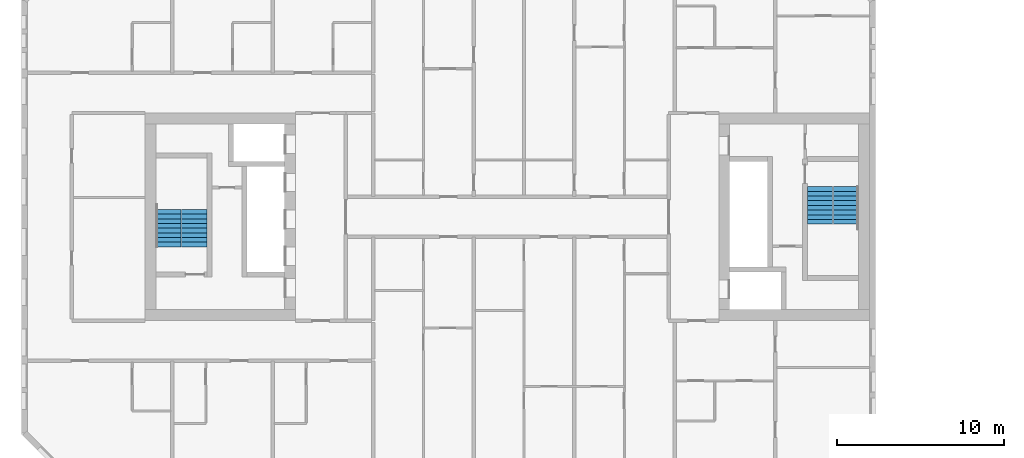
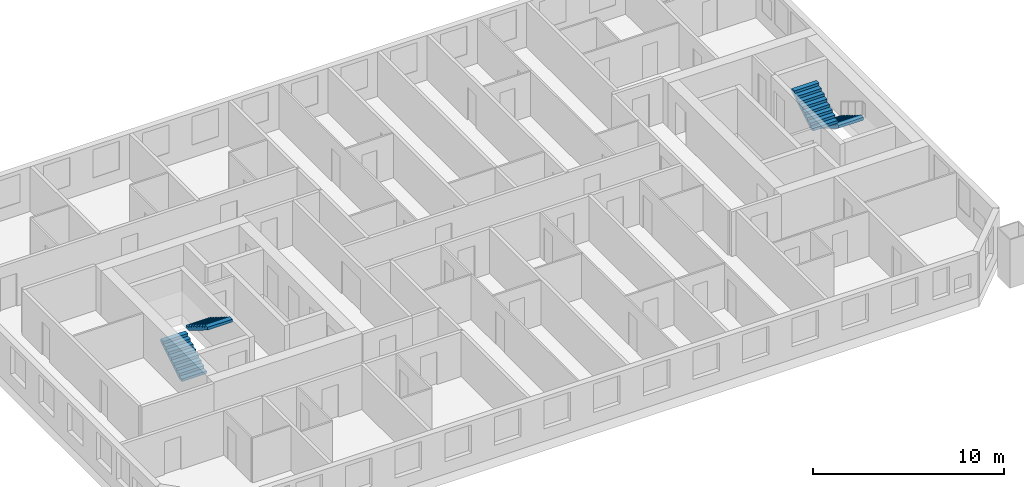
# One storey, part 15 of 16: 4 stair flights, 2 elements without a shape of their own.
"""IFC4 building model written with IfcOpenShell, lengths in metres."""

from ifc_helpers import new_model, si_unit, direction, frame, origin, place, context, subcontext, project, spatial, faceted_brep, material, type_object, element, aggregate, save


model = new_model("IFC4")

# Units and contexts
model_context = context("Model", 3, precision=1e-05, world=origin(), true_north=direction((0.0, 1.0)))
body_context = subcontext(model_context, "Body", "Model", "MODEL_VIEW")
ifc_project = project(units=[si_unit("LENGTHUNIT", "METRE"), si_unit("AREAUNIT", "SQUARE_METRE"), si_unit("VOLUMEUNIT", "CUBIC_METRE"), si_unit("PLANEANGLEUNIT", "RADIAN"), si_unit("MASSUNIT", "GRAM", prefix="KILO")], contexts=[model_context])

# Site, building, storey
site_placement = place(None, origin())
site = spatial("IfcSite", under=ifc_project, at=site_placement, CompositionType="ELEMENT")
building_placement = place(site_placement, origin())
building = spatial("IfcBuilding", under=site, at=building_placement, Name="Tuart Gate Housing", CompositionType="ELEMENT")
storey_placement = place(building_placement, frame((0.0, 0.0, 96.39990234375)))
storey = spatial("IfcBuildingStorey", under=building, at=storey_placement, Name="L26", CompositionType="ELEMENT", Elevation=96.39990234375)

# Stair, stair flights
ifc_material_1 = material(Name="Concrete C40", Category="concrete")
stair_type = type_object("IfcStairType", Name="Core stair 1500", PredefinedType="HALF_TURN_STAIR", material=ifc_material_1)
stair_1_placement = place(storey_placement, origin())
stair_1 = element("IfcStair", 1, at=stair_1_placement, inside=storey, type_object=stair_type, Name="Stair SA1", PredefinedType="HALF_TURN_STAIR")
ifc_material_2 = material(Name="Concrete C40", Category="concrete")
stair_flight_type = type_object("IfcStairFlightType", Name="Stair flight 1500, 9 risers 172 x 280", PredefinedType="STRAIGHT", material=ifc_material_2)
stair_flight_1_placement = place(storey_placement, frame((74.239990234375, 71.800048828125, 0.0), z_axis=(0.0, 0.0, 1.0), x_axis=(0.0, -1.0, 0.0)))
stair_flight_1 = element("IfcStairFlight", 2, at=stair_flight_1_placement, type_object=stair_flight_type, Name="SA1 flight 1", NumberOfRisers=9, NumberOfTreads=8, PredefinedType="STRAIGHT", RiserHeight=0.172222222, TreadLength=0.28, context=body_context, shape_type="Brep", body=[
    faceted_brep([(0.0, 0.75, 0.0), (0.0, 0.75, 0.172119140625), (0.280029296875, 0.75, 0.172119140625), (0.280029296875, 0.75, 0.344482421875), (0.56005859375, 0.75, 0.344482421875), (0.56005859375, 0.75, 0.5166015625), (0.840087890625, 0.75, 0.5166015625), (0.840087890625, 0.75, 0.68896484375), (1.1201171875, 0.75, 0.68896484375), (1.1201171875, 0.75, 0.861083984375), (1.39990234375, 0.75, 0.861083984375), (1.39990234375, 0.75, 1.033447265625), (1.679931640625, 0.75, 1.033447265625), (1.679931640625, 0.75, 1.20556640625), (1.9599609375, 0.75, 1.20556640625), (1.9599609375, 0.75, 1.377685546875), (2.239990234375, 0.75, 1.377685546875), (2.239990234375, 0.75, 1.201904296875), (0.2861328125, 0.75, 0.0), (0.2861328125, -0.75, 0.0), (2.239990234375, -0.75, 1.201904296875), (2.239990234375, -0.75, 1.377685546875), (1.9599609375, -0.75, 1.377685546875), (1.9599609375, -0.75, 1.20556640625), (1.679931640625, -0.75, 1.20556640625), (1.679931640625, -0.75, 1.033447265625), (1.39990234375, -0.75, 1.033447265625), (1.39990234375, -0.75, 0.861083984375), (1.1201171875, -0.75, 0.861083984375), (1.1201171875, -0.75, 0.68896484375), (0.840087890625, -0.75, 0.68896484375), (0.840087890625, -0.75, 0.5166015625), (0.56005859375, -0.75, 0.5166015625), (0.56005859375, -0.75, 0.344482421875), (0.280029296875, -0.75, 0.344482421875), (0.280029296875, -0.75, 0.172119140625), (0.0, -0.75, 0.172119140625), (0.0, -0.75, 0.0), (2.239990234375, 0.0, 1.201904296875), (0.2861328125, 0.0, 0.0), (2.239990234375, 0.0, 1.377685546875), (1.9599609375, 0.0, 1.377685546875), (1.9599609375, 0.0, 1.20556640625), (1.679931640625, 0.0, 1.20556640625), (1.679931640625, 0.0, 1.033447265625), (1.39990234375, 0.0, 1.033447265625), (1.39990234375, 0.0, 0.861083984375), (1.1201171875, 0.0, 0.861083984375), (1.1201171875, 0.0, 0.68896484375), (0.840087890625, 0.0, 0.68896484375), (0.840087890625, 0.0, 0.5166015625), (0.56005859375, 0.0, 0.5166015625), (0.56005859375, 0.0, 0.344482421875), (0.280029296875, 0.0, 0.344482421875), (0.280029296875, 0.0, 0.172119140625), (0.0, 0.0, 0.172119140625), (0.0, 0.0, 0.0)], [[[0, 1, 2, 3, 4, 5, 6, 7, 8, 9, 10, 11, 12, 13, 14, 15, 16, 17, 18]], [[19, 20, 21, 22, 23, 24, 25, 26, 27, 28, 29, 30, 31, 32, 33, 34, 35, 36, 37]], [[18, 17, 38, 39]], [[39, 38, 20, 19]], [[17, 16, 40, 38]], [[38, 40, 21, 20]], [[16, 15, 41, 40]], [[40, 41, 22, 21]], [[15, 14, 42, 41]], [[41, 42, 23, 22]], [[14, 13, 43, 42]], [[42, 43, 24, 23]], [[13, 12, 44, 43]], [[43, 44, 25, 24]], [[12, 11, 45, 44]], [[44, 45, 26, 25]], [[11, 10, 46, 45]], [[45, 46, 27, 26]], [[10, 9, 47, 46]], [[46, 47, 28, 27]], [[9, 8, 48, 47]], [[47, 48, 29, 28]], [[8, 7, 49, 48]], [[48, 49, 30, 29]], [[7, 6, 50, 49]], [[49, 50, 31, 30]], [[6, 5, 51, 50]], [[50, 51, 32, 31]], [[5, 4, 52, 51]], [[51, 52, 33, 32]], [[4, 3, 53, 52]], [[52, 53, 34, 33]], [[3, 2, 54, 53]], [[53, 54, 35, 34]], [[2, 1, 55, 54]], [[54, 55, 36, 35]], [[1, 0, 56, 55]], [[55, 56, 37, 36]], [[0, 18, 39, 56]], [[56, 39, 19, 37]]]),
])
stair_flight_2_placement = place(storey_placement, frame((72.68994140625, 69.56005859375, 1.550048828125), z_axis=(0.0, 0.0, 1.0), x_axis=(0.0, 1.0, 0.0)))
stair_flight_2 = element("IfcStairFlight", 3, at=stair_flight_2_placement, type_object=stair_flight_type, Name="SA1 flight 2", NumberOfRisers=9, NumberOfTreads=8, PredefinedType="STRAIGHT", RiserHeight=0.172222222, TreadLength=0.28, context=body_context, shape_type="Brep", body=[
    faceted_brep([(0.0, 0.75, 0.0), (0.0, 0.75, 0.172119140625), (0.280029296875, 0.75, 0.172119140625), (0.280029296875, 0.75, 0.344482421875), (0.56005859375, 0.75, 0.344482421875), (0.56005859375, 0.75, 0.5166015625), (0.840087890625, 0.75, 0.5166015625), (0.840087890625, 0.75, 0.68896484375), (1.1201171875, 0.75, 0.68896484375), (1.1201171875, 0.75, 0.861083984375), (1.39990234375, 0.75, 0.861083984375), (1.39990234375, 0.75, 1.033447265625), (1.679931640625, 0.75, 1.033447265625), (1.679931640625, 0.75, 1.20556640625), (1.9599609375, 0.75, 1.20556640625), (1.9599609375, 0.75, 1.377685546875), (2.239990234375, 0.75, 1.377685546875), (2.239990234375, 0.75, 1.201904296875), (0.2861328125, 0.75, 0.0), (0.2861328125, -0.75, 0.0), (2.239990234375, -0.75, 1.201904296875), (2.239990234375, -0.75, 1.377685546875), (1.9599609375, -0.75, 1.377685546875), (1.9599609375, -0.75, 1.20556640625), (1.679931640625, -0.75, 1.20556640625), (1.679931640625, -0.75, 1.033447265625), (1.39990234375, -0.75, 1.033447265625), (1.39990234375, -0.75, 0.861083984375), (1.1201171875, -0.75, 0.861083984375), (1.1201171875, -0.75, 0.68896484375), (0.840087890625, -0.75, 0.68896484375), (0.840087890625, -0.75, 0.5166015625), (0.56005859375, -0.75, 0.5166015625), (0.56005859375, -0.75, 0.344482421875), (0.280029296875, -0.75, 0.344482421875), (0.280029296875, -0.75, 0.172119140625), (0.0, -0.75, 0.172119140625), (0.0, -0.75, 0.0), (2.239990234375, 0.0, 1.201904296875), (0.2861328125, 0.0, 0.0), (2.239990234375, 0.0, 1.377685546875), (1.9599609375, 0.0, 1.377685546875), (1.9599609375, 0.0, 1.20556640625), (1.679931640625, 0.0, 1.20556640625), (1.679931640625, 0.0, 1.033447265625), (1.39990234375, 0.0, 1.033447265625), (1.39990234375, 0.0, 0.861083984375), (1.1201171875, 0.0, 0.861083984375), (1.1201171875, 0.0, 0.68896484375), (0.840087890625, 0.0, 0.68896484375), (0.840087890625, 0.0, 0.5166015625), (0.56005859375, 0.0, 0.5166015625), (0.56005859375, 0.0, 0.344482421875), (0.280029296875, 0.0, 0.344482421875), (0.280029296875, 0.0, 0.172119140625), (0.0, 0.0, 0.172119140625), (0.0, 0.0, 0.0)], [[[0, 1, 2, 3, 4, 5, 6, 7, 8, 9, 10, 11, 12, 13, 14, 15, 16, 17, 18]], [[19, 20, 21, 22, 23, 24, 25, 26, 27, 28, 29, 30, 31, 32, 33, 34, 35, 36, 37]], [[18, 17, 38, 39]], [[39, 38, 20, 19]], [[17, 16, 40, 38]], [[38, 40, 21, 20]], [[16, 15, 41, 40]], [[40, 41, 22, 21]], [[15, 14, 42, 41]], [[41, 42, 23, 22]], [[14, 13, 43, 42]], [[42, 43, 24, 23]], [[13, 12, 44, 43]], [[43, 44, 25, 24]], [[12, 11, 45, 44]], [[44, 45, 26, 25]], [[11, 10, 46, 45]], [[45, 46, 27, 26]], [[10, 9, 47, 46]], [[46, 47, 28, 27]], [[9, 8, 48, 47]], [[47, 48, 29, 28]], [[8, 7, 49, 48]], [[48, 49, 30, 29]], [[7, 6, 50, 49]], [[49, 50, 31, 30]], [[6, 5, 51, 50]], [[50, 51, 32, 31]], [[5, 4, 52, 51]], [[51, 52, 33, 32]], [[4, 3, 53, 52]], [[52, 53, 34, 33]], [[3, 2, 54, 53]], [[53, 54, 35, 34]], [[2, 1, 55, 54]], [[54, 55, 36, 35]], [[1, 0, 56, 55]], [[55, 56, 37, 36]], [[0, 18, 39, 56]], [[56, 39, 19, 37]]]),
])
aggregate(stair_1, [stair_flight_1, stair_flight_2])

stair_2_placement = place(storey_placement, origin())
stair_2 = element("IfcStair", 4, at=stair_2_placement, inside=storey, type_object=stair_type, Name="Stair SA2", PredefinedType="HALF_TURN_STAIR")
stair_flight_3_placement = place(storey_placement, frame((33.760009765625, 68.199951171875, 0.0), z_axis=(0.0, 0.0, 1.0), x_axis=(0.0, 1.0, 0.0)))
stair_flight_3 = element("IfcStairFlight", 5, at=stair_flight_3_placement, type_object=stair_flight_type, Name="SA2 flight 1", NumberOfRisers=9, NumberOfTreads=8, PredefinedType="STRAIGHT", RiserHeight=0.172222222, TreadLength=0.28, context=body_context, shape_type="Brep", body=[
    faceted_brep([(0.0, 0.75, 0.0), (0.0, 0.75, 0.172119140625), (0.280029296875, 0.75, 0.172119140625), (0.280029296875, 0.75, 0.344482421875), (0.56005859375, 0.75, 0.344482421875), (0.56005859375, 0.75, 0.5166015625), (0.840087890625, 0.75, 0.5166015625), (0.840087890625, 0.75, 0.68896484375), (1.1201171875, 0.75, 0.68896484375), (1.1201171875, 0.75, 0.861083984375), (1.39990234375, 0.75, 0.861083984375), (1.39990234375, 0.75, 1.033447265625), (1.679931640625, 0.75, 1.033447265625), (1.679931640625, 0.75, 1.20556640625), (1.9599609375, 0.75, 1.20556640625), (1.9599609375, 0.75, 1.377685546875), (2.239990234375, 0.75, 1.377685546875), (2.239990234375, 0.75, 1.201904296875), (0.2861328125, 0.75, 0.0), (0.2861328125, -0.75, 0.0), (2.239990234375, -0.75, 1.201904296875), (2.239990234375, -0.75, 1.377685546875), (1.9599609375, -0.75, 1.377685546875), (1.9599609375, -0.75, 1.20556640625), (1.679931640625, -0.75, 1.20556640625), (1.679931640625, -0.75, 1.033447265625), (1.39990234375, -0.75, 1.033447265625), (1.39990234375, -0.75, 0.861083984375), (1.1201171875, -0.75, 0.861083984375), (1.1201171875, -0.75, 0.68896484375), (0.840087890625, -0.75, 0.68896484375), (0.840087890625, -0.75, 0.5166015625), (0.56005859375, -0.75, 0.5166015625), (0.56005859375, -0.75, 0.344482421875), (0.280029296875, -0.75, 0.344482421875), (0.280029296875, -0.75, 0.172119140625), (0.0, -0.75, 0.172119140625), (0.0, -0.75, 0.0), (2.239990234375, 0.0, 1.201904296875), (0.2861328125, 0.0, 0.0), (2.239990234375, 0.0, 1.377685546875), (1.9599609375, 0.0, 1.377685546875), (1.9599609375, 0.0, 1.20556640625), (1.679931640625, 0.0, 1.20556640625), (1.679931640625, 0.0, 1.033447265625), (1.39990234375, 0.0, 1.033447265625), (1.39990234375, 0.0, 0.861083984375), (1.1201171875, 0.0, 0.861083984375), (1.1201171875, 0.0, 0.68896484375), (0.840087890625, 0.0, 0.68896484375), (0.840087890625, 0.0, 0.5166015625), (0.56005859375, 0.0, 0.5166015625), (0.56005859375, 0.0, 0.344482421875), (0.280029296875, 0.0, 0.344482421875), (0.280029296875, 0.0, 0.172119140625), (0.0, 0.0, 0.172119140625), (0.0, 0.0, 0.0)], [[[0, 1, 2, 3, 4, 5, 6, 7, 8, 9, 10, 11, 12, 13, 14, 15, 16, 17, 18]], [[19, 20, 21, 22, 23, 24, 25, 26, 27, 28, 29, 30, 31, 32, 33, 34, 35, 36, 37]], [[18, 17, 38, 39]], [[39, 38, 20, 19]], [[17, 16, 40, 38]], [[38, 40, 21, 20]], [[16, 15, 41, 40]], [[40, 41, 22, 21]], [[15, 14, 42, 41]], [[41, 42, 23, 22]], [[14, 13, 43, 42]], [[42, 43, 24, 23]], [[13, 12, 44, 43]], [[43, 44, 25, 24]], [[12, 11, 45, 44]], [[44, 45, 26, 25]], [[11, 10, 46, 45]], [[45, 46, 27, 26]], [[10, 9, 47, 46]], [[46, 47, 28, 27]], [[9, 8, 48, 47]], [[47, 48, 29, 28]], [[8, 7, 49, 48]], [[48, 49, 30, 29]], [[7, 6, 50, 49]], [[49, 50, 31, 30]], [[6, 5, 51, 50]], [[50, 51, 32, 31]], [[5, 4, 52, 51]], [[51, 52, 33, 32]], [[4, 3, 53, 52]], [[52, 53, 34, 33]], [[3, 2, 54, 53]], [[53, 54, 35, 34]], [[2, 1, 55, 54]], [[54, 55, 36, 35]], [[1, 0, 56, 55]], [[55, 56, 37, 36]], [[0, 18, 39, 56]], [[56, 39, 19, 37]]]),
])
stair_flight_4_placement = place(storey_placement, frame((35.31005859375, 70.43994140625, 1.550048828125), z_axis=(0.0, 0.0, 1.0), x_axis=(0.0, -1.0, 0.0)))
stair_flight_4 = element("IfcStairFlight", 6, at=stair_flight_4_placement, type_object=stair_flight_type, Name="SA2 flight 2", NumberOfRisers=9, NumberOfTreads=8, PredefinedType="STRAIGHT", RiserHeight=0.172222222, TreadLength=0.28, context=body_context, shape_type="Brep", body=[
    faceted_brep([(0.0, 0.75, 0.0), (0.0, 0.75, 0.172119140625), (0.280029296875, 0.75, 0.172119140625), (0.280029296875, 0.75, 0.344482421875), (0.56005859375, 0.75, 0.344482421875), (0.56005859375, 0.75, 0.5166015625), (0.840087890625, 0.75, 0.5166015625), (0.840087890625, 0.75, 0.68896484375), (1.1201171875, 0.75, 0.68896484375), (1.1201171875, 0.75, 0.861083984375), (1.39990234375, 0.75, 0.861083984375), (1.39990234375, 0.75, 1.033447265625), (1.679931640625, 0.75, 1.033447265625), (1.679931640625, 0.75, 1.20556640625), (1.9599609375, 0.75, 1.20556640625), (1.9599609375, 0.75, 1.377685546875), (2.239990234375, 0.75, 1.377685546875), (2.239990234375, 0.75, 1.201904296875), (0.2861328125, 0.75, 0.0), (0.2861328125, -0.75, 0.0), (2.239990234375, -0.75, 1.201904296875), (2.239990234375, -0.75, 1.377685546875), (1.9599609375, -0.75, 1.377685546875), (1.9599609375, -0.75, 1.20556640625), (1.679931640625, -0.75, 1.20556640625), (1.679931640625, -0.75, 1.033447265625), (1.39990234375, -0.75, 1.033447265625), (1.39990234375, -0.75, 0.861083984375), (1.1201171875, -0.75, 0.861083984375), (1.1201171875, -0.75, 0.68896484375), (0.840087890625, -0.75, 0.68896484375), (0.840087890625, -0.75, 0.5166015625), (0.56005859375, -0.75, 0.5166015625), (0.56005859375, -0.75, 0.344482421875), (0.280029296875, -0.75, 0.344482421875), (0.280029296875, -0.75, 0.172119140625), (0.0, -0.75, 0.172119140625), (0.0, -0.75, 0.0), (2.239990234375, 0.0, 1.201904296875), (0.2861328125, 0.0, 0.0), (2.239990234375, 0.0, 1.377685546875), (1.9599609375, 0.0, 1.377685546875), (1.9599609375, 0.0, 1.20556640625), (1.679931640625, 0.0, 1.20556640625), (1.679931640625, 0.0, 1.033447265625), (1.39990234375, 0.0, 1.033447265625), (1.39990234375, 0.0, 0.861083984375), (1.1201171875, 0.0, 0.861083984375), (1.1201171875, 0.0, 0.68896484375), (0.840087890625, 0.0, 0.68896484375), (0.840087890625, 0.0, 0.5166015625), (0.56005859375, 0.0, 0.5166015625), (0.56005859375, 0.0, 0.344482421875), (0.280029296875, 0.0, 0.344482421875), (0.280029296875, 0.0, 0.172119140625), (0.0, 0.0, 0.172119140625), (0.0, 0.0, 0.0)], [[[0, 1, 2, 3, 4, 5, 6, 7, 8, 9, 10, 11, 12, 13, 14, 15, 16, 17, 18]], [[19, 20, 21, 22, 23, 24, 25, 26, 27, 28, 29, 30, 31, 32, 33, 34, 35, 36, 37]], [[18, 17, 38, 39]], [[39, 38, 20, 19]], [[17, 16, 40, 38]], [[38, 40, 21, 20]], [[16, 15, 41, 40]], [[40, 41, 22, 21]], [[15, 14, 42, 41]], [[41, 42, 23, 22]], [[14, 13, 43, 42]], [[42, 43, 24, 23]], [[13, 12, 44, 43]], [[43, 44, 25, 24]], [[12, 11, 45, 44]], [[44, 45, 26, 25]], [[11, 10, 46, 45]], [[45, 46, 27, 26]], [[10, 9, 47, 46]], [[46, 47, 28, 27]], [[9, 8, 48, 47]], [[47, 48, 29, 28]], [[8, 7, 49, 48]], [[48, 49, 30, 29]], [[7, 6, 50, 49]], [[49, 50, 31, 30]], [[6, 5, 51, 50]], [[50, 51, 32, 31]], [[5, 4, 52, 51]], [[51, 52, 33, 32]], [[4, 3, 53, 52]], [[52, 53, 34, 33]], [[3, 2, 54, 53]], [[53, 54, 35, 34]], [[2, 1, 55, 54]], [[54, 55, 36, 35]], [[1, 0, 56, 55]], [[55, 56, 37, 36]], [[0, 18, 39, 56]], [[56, 39, 19, 37]]]),
])
aggregate(stair_2, [stair_flight_3, stair_flight_4])

save(model, "model.ifc")
